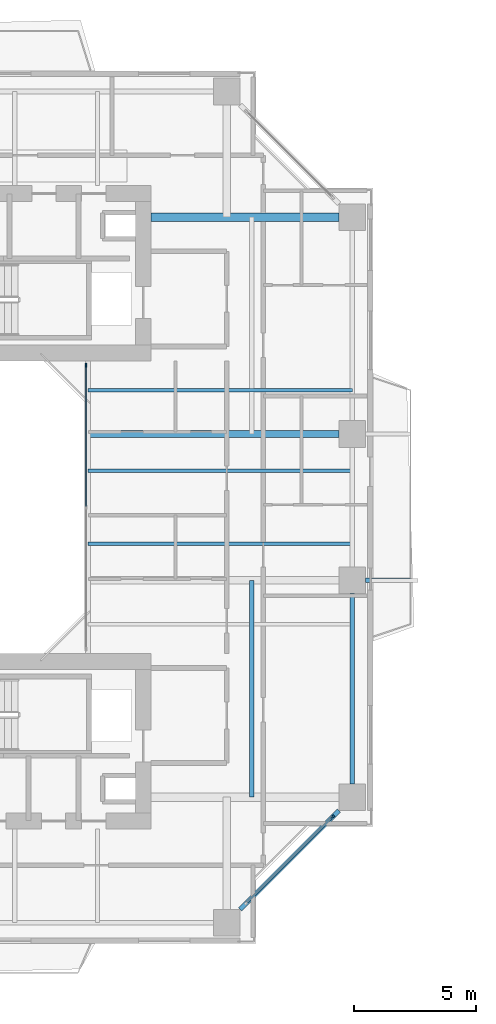
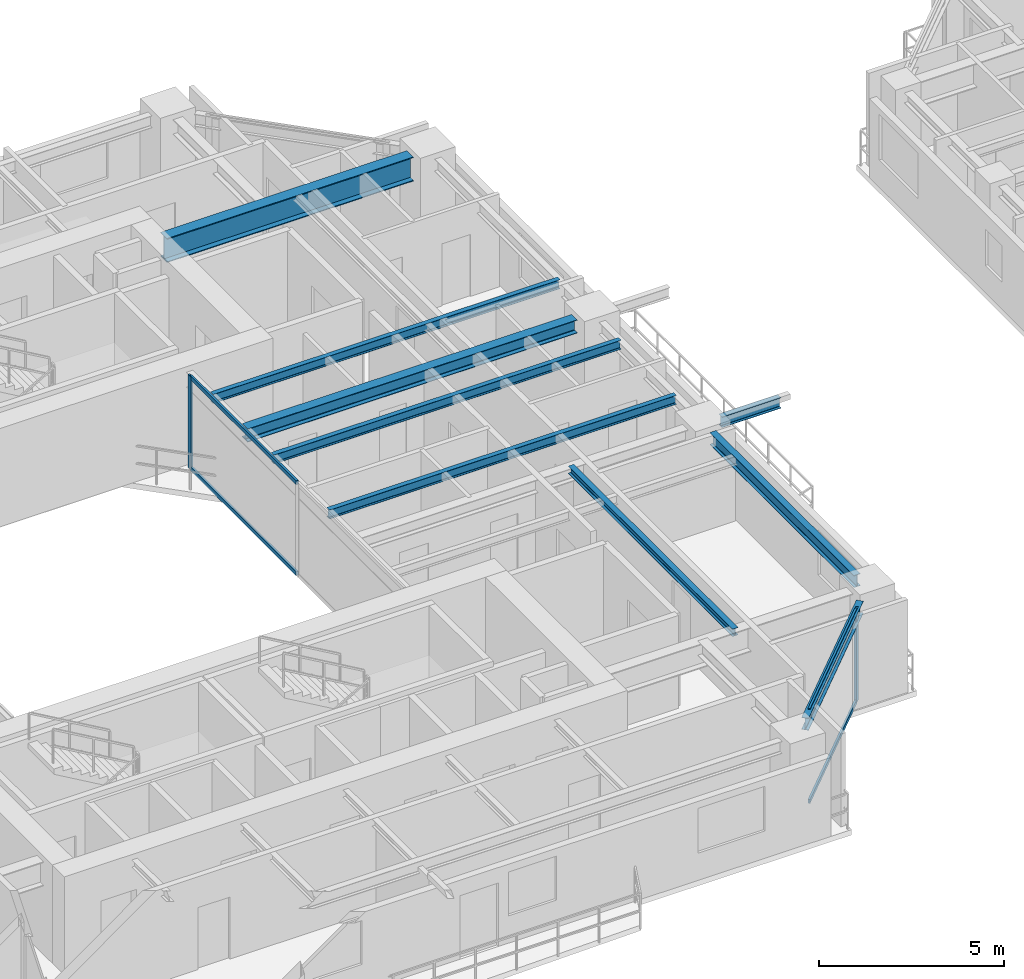
# One storey, part 6 of 23: 9 beams, 6 members, 2 elements without a shape of their own.
"""IFC4 building model written with IfcOpenShell, lengths in metres."""

from ifc_helpers import new_model, si_unit, direction, frame, origin, origin_2d, place, context, subcontext, project, spatial, rectangle, i_section, extrude, source, transform, mapped, material, layer, layer_set, material_profile, profile_set, type_object, element, aggregate, save


model = new_model("IFC4")

# Units and contexts
model_context = context("Model", 3, precision=1e-05, world=origin(), true_north=direction((0.0, 1.0)))
body_context = subcontext(model_context, "Body", "Model", "MODEL_VIEW")
ifc_project = project(units=[si_unit("LENGTHUNIT", "METRE"), si_unit("AREAUNIT", "SQUARE_METRE"), si_unit("VOLUMEUNIT", "CUBIC_METRE"), si_unit("PLANEANGLEUNIT", "RADIAN"), si_unit("MASSUNIT", "GRAM", prefix="KILO"), si_unit("THERMODYNAMICTEMPERATUREUNIT", "KELVIN"), si_unit("POWERUNIT", "WATT")], contexts=[model_context])

# Site, building, storey
site_placement = place(None, origin())
site = spatial("IfcSite", under=ifc_project, at=site_placement, CompositionType="ELEMENT")
building_placement = place(site_placement, origin())
building = spatial("IfcBuilding", under=site, at=building_placement, Name="Qiaomeng Ring Towers", CompositionType="ELEMENT")
storey_placement = place(building_placement, frame((0.0, 0.0, 100.25)))
storey = spatial("IfcBuildingStorey", under=building, at=storey_placement, Name="L28", CompositionType="ELEMENT", Elevation=100.25)

# Beams
ifc_material_1 = material(Name="Steel Q355B", Category="steel")
ifc_material_profile_1 = material_profile(ifc_material_1, i_section(OverallWidth=0.199951171875, OverallDepth=0.39990234375, WebThickness=0.008056640625, FlangeThickness=0.012939453125, FilletRadius=0.01611328125, at=origin_2d()), Name="HN 400x200x8x13")
ifc_profile_set_1 = profile_set([ifc_material_profile_1], Name="Steel Q355B")
beam_type_1 = type_object("IfcBeamType", Name="STR-BM-HN400", PredefinedType="SPANDREL", material=ifc_profile_set_1)
shared_shape_1 = source(origin(), body_context, "Body", "SweptSolid", [
    extrude(i_section(OverallWidth=0.199951171875, OverallDepth=0.39990234375, WebThickness=0.008056640625, FlangeThickness=0.012939453125, FilletRadius=0.01611328125, at=origin_2d()), origin(), (0.0, 0.0, 1.0), 5.729736328125),
])
beam_1_placement = place(storey_placement, frame((31.44921875, 6.499267578125, 2.8701171875), z_axis=(0.707106781187, 0.707106781187, 0.0), x_axis=(-0.707106781187, 0.707106781187, 0.0)))
element("IfcBeam", 1, at=beam_1_placement, inside=storey, type_object=beam_type_1, Name="L28 beam STR-SP-L28-T1-S2-E1", PredefinedType="SPANDREL", context=body_context, shape_type="MappedRepresentation", body=[
    mapped(shared_shape_1, transform((0.0, 0.0, 0.0), x_axis=(1.0, 0.0, 0.0), y_axis=(0.0, 1.0, 0.0), z_axis=(0.0, 0.0, 1.0), scale=1.0)),
])
shared_shape_2 = source(origin(), body_context, "Body", "SweptSolid", [
    extrude(i_section(OverallWidth=0.199951171875, OverallDepth=0.39990234375, WebThickness=0.008056640625, FlangeThickness=0.012939453125, FilletRadius=0.01611328125, at=origin_2d()), origin(), (0.0, 0.0, 1.0), 7.802001953125),
])
beam_2_placement = place(storey_placement, frame((36.050048828125, 11.64892578125, 2.8701171875), z_axis=(0.0, 1.0, 0.0), x_axis=(-1.0, 0.0, 0.0)))
element("IfcBeam", 2, at=beam_2_placement, inside=storey, type_object=beam_type_1, Name="L28 beam STR-SP-L28-T1-E1-E2", PredefinedType="SPANDREL", context=body_context, shape_type="MappedRepresentation", body=[
    mapped(shared_shape_2, transform((0.0, 0.0, 0.0), x_axis=(1.0, 0.0, 0.0), y_axis=(0.0, 1.0, 0.0), z_axis=(0.0, 0.0, 1.0), scale=1.0)),
])
ifc_material_2 = material(Name="Steel Q390GJC", Category="steel")
ifc_material_profile_2 = material_profile(ifc_material_2, i_section(OverallWidth=0.35009765625, OverallDepth=0.800048828125, WebThickness=0.01611328125, FlangeThickness=0.028076171875, at=origin_2d()), Name="WH 800x350x16x28")
ifc_profile_set_2 = profile_set([ifc_material_profile_2], Name="Steel Q390GJC")
beam_type_2 = type_object("IfcBeamType", Name="STR-BM-WH800", PredefinedType="BEAM", material=ifc_profile_set_2)
shared_shape_3 = source(origin(), body_context, "Body", "SweptSolid", [
    extrude(i_section(OverallWidth=0.35009765625, OverallDepth=0.800048828125, WebThickness=0.01611328125, FlangeThickness=0.028076171875, at=origin_2d()), origin(), (0.0, 0.0, 1.0), 7.700927734375),
])
beam_3_placement = place(storey_placement, frame((27.800048828125, 34.89990234375, 2.669921875), z_axis=(1.0, 0.0, 0.0), x_axis=(0.0, 1.0, 0.0)))
element("IfcBeam", 3, at=beam_3_placement, inside=storey, type_object=beam_type_2, Name="L28 beam STR-BM-L28-T1-RAD-E4", PredefinedType="BEAM", context=body_context, shape_type="MappedRepresentation", body=[
    mapped(shared_shape_3, transform((0.0, 0.0, 0.0), x_axis=(1.0, 0.0, 0.0), y_axis=(0.0, 1.0, 0.0), z_axis=(0.0, 0.0, 1.0), scale=1.0)),
])
ifc_material_profile_3 = material_profile(ifc_material_1, i_section(OverallWidth=0.300048828125, OverallDepth=0.43994140625, WebThickness=0.010986328125, FlangeThickness=0.01806640625, FilletRadius=0.02392578125, at=origin_2d()), Name="HM 440x300x11x18")
ifc_profile_set_3 = profile_set([ifc_material_profile_3], Name="Steel Q355B")
beam_type_3 = type_object("IfcBeamType", Name="STR-BM-HM440", PredefinedType="BEAM", material=ifc_profile_set_3)
shared_shape_4 = source(origin(), body_context, "Body", "SweptSolid", [
    extrude(i_section(OverallWidth=0.300048828125, OverallDepth=0.43994140625, WebThickness=0.010986328125, FlangeThickness=0.01806640625, FilletRadius=0.02392578125, at=origin_2d()), origin(), (0.0, 0.0, 1.0), 10.301025390625),
])
beam_4_placement = place(storey_placement, frame((25.199951171875, 26.0, 2.85009765625), z_axis=(1.0, 0.0, 0.0), x_axis=(0.0, 1.0, 0.0)))
element("IfcBeam", 4, at=beam_4_placement, inside=storey, type_object=beam_type_3, Name="L28 beam STR-BM-L28-T1-RAD-E3", PredefinedType="BEAM", context=body_context, shape_type="MappedRepresentation", body=[
    mapped(shared_shape_4, transform((0.0, 0.0, 0.0), x_axis=(1.0, 0.0, 0.0), y_axis=(0.0, 1.0, 0.0), z_axis=(0.0, 0.0, 1.0), scale=1.0)),
])
ifc_material_profile_4 = material_profile(ifc_material_1, i_section(OverallWidth=0.175048828125, OverallDepth=0.35009765625, WebThickness=0.007080078125, FlangeThickness=0.010986328125, FilletRadius=0.013916015625, at=origin_2d()), Name="HN 350x175x7x11")
ifc_profile_set_4 = profile_set([ifc_material_profile_4], Name="Steel Q355B")
beam_type_4 = type_object("IfcBeamType", Name="STR-BM-HN350", PredefinedType="JOIST", material=ifc_profile_set_4)
shared_shape_5 = source(origin(), body_context, "Body", "SweptSolid", [
    extrude(i_section(OverallWidth=0.175048828125, OverallDepth=0.35009765625, WebThickness=0.007080078125, FlangeThickness=0.010986328125, FilletRadius=0.013916015625, at=origin_2d()), origin(), (0.0, 0.0, 1.0), 1.8408203125),
])
beam_5_placement = place(storey_placement, frame((36.59912109375, 20.0, 2.89501953125), z_axis=(1.0, 0.0, 0.0), x_axis=(0.0, 1.0, 0.0)))
element("IfcBeam", 5, at=beam_5_placement, inside=storey, type_object=beam_type_4, Name="L28 beam STR-BALBM-L28-E2", PredefinedType="JOIST", context=body_context, shape_type="MappedRepresentation", body=[
    mapped(shared_shape_5, transform((0.0, 0.0, 0.0), x_axis=(1.0, 0.0, 0.0), y_axis=(0.0, 1.0, 0.0), z_axis=(0.0, 0.0, 1.0), scale=1.0)),
])
ifc_material_profile_5 = material_profile(ifc_material_1, i_section(OverallWidth=0.14990234375, OverallDepth=0.300048828125, WebThickness=0.006591796875, FlangeThickness=0.009033203125, FilletRadius=0.012939453125, at=origin_2d()), Name="HN 300x150x6.5x9")
ifc_profile_set_5 = profile_set([ifc_material_profile_5], Name="Steel Q355B")
beam_type_5 = type_object("IfcBeamType", Name="STR-BM-HN300", PredefinedType="JOIST", material=ifc_profile_set_5)
shared_shape_6 = source(origin(), body_context, "Body", "SweptSolid", [
    extrude(i_section(OverallWidth=0.14990234375, OverallDepth=0.300048828125, WebThickness=0.006591796875, FlangeThickness=0.009033203125, FilletRadius=0.012939453125, at=origin_2d()), origin(), (0.0, 0.0, 1.0), 10.85009765625),
])
for number, where, z_axis, x_axis, name in (
    (6, (25.199951171875, 21.5, 2.919921875), (1.0, 0.0, 0.0), (0.0, 1.0, 0.0), "L28 beam STR-JST-L28-T1E-2"),
    (7, (25.199951171875, 24.5, 2.919921875), (1.0, 0.0, 0.0), (0.0, 1.0, 0.0), "L28 beam STR-JST-L28-T1E-3"),
    (8, (25.199951171875, 27.800048828125, 2.919921875), (1.0, 0.0, 0.0), (0.0, 1.0, 0.0), "L28 beam STR-JST-L28-T1E-4"),
):
    element("IfcBeam", number, at=place(storey_placement, frame(where, z_axis=z_axis, x_axis=x_axis)), inside=storey, type_object=beam_type_5, Name=name, PredefinedType="JOIST", context=body_context, shape_type="MappedRepresentation", body=[
        mapped(shared_shape_6, transform((0.0, 0.0, 0.0), x_axis=(1.0, 0.0, 0.0), y_axis=(0.0, 1.0, 0.0), z_axis=(0.0, 0.0, 1.0), scale=1.0)),
    ])
ifc_material_profile_6 = material_profile(ifc_material_1, i_section(OverallWidth=0.175048828125, OverallDepth=0.243896484375, WebThickness=0.007080078125, FlangeThickness=0.010986328125, FilletRadius=0.01611328125, at=origin_2d()), Name="HM 244x175x7x11")
ifc_profile_set_6 = profile_set([ifc_material_profile_6], Name="Steel Q355B")
beam_type_6 = type_object("IfcBeamType", Name="STR-BM-HM244", PredefinedType="JOIST", material=ifc_profile_set_6)
shared_shape_7 = source(origin(), body_context, "Body", "SweptSolid", [
    extrude(i_section(OverallWidth=0.175048828125, OverallDepth=0.243896484375, WebThickness=0.007080078125, FlangeThickness=0.010986328125, FilletRadius=0.01611328125, at=origin_2d()), origin(), (0.0, 0.0, 1.0), 8.89990234375),
])
beam_6_placement = place(storey_placement, frame((31.925048828125, 11.10009765625, 2.947998046875), z_axis=(0.0, 1.0, 0.0), x_axis=(-1.0, 0.0, 0.0)))
element("IfcBeam", 9, at=beam_6_placement, inside=storey, type_object=beam_type_6, Name="L28 beam STR-JST-L28-T1C-ES", PredefinedType="JOIST", context=body_context, shape_type="MappedRepresentation", body=[
    mapped(shared_shape_7, transform((0.0, 0.0, 0.0), x_axis=(1.0, 0.0, 0.0), y_axis=(0.0, 1.0, 0.0), z_axis=(0.0, 0.0, 1.0), scale=1.0)),
])

# Curtain wall, members
ifc_material_3 = material(Name="Fluorocarbon dark-grey aluminium", Category="aluminium")
ifc_layer_1 = layer(ifc_material_3, 0.139892578125, Name="Fluorocarbon dark-grey aluminium")
ifc_layer_set_1 = layer_set([ifc_layer_1], Name="Fluorocarbon dark-grey aluminium")
curtain_wall_type_1 = type_object("IfcCurtainWallType", Name="ARC-CW-4", PredefinedType="NOTDEFINED", material=ifc_layer_set_1)
curtain_wall_1_placement = place(storey_placement, origin())
curtain_wall_1 = element("IfcCurtainWall", 10, at=curtain_wall_1_placement, inside=storey, type_object=curtain_wall_type_1, Name="L28 Curtain Wall CW4", PredefinedType="NOTDEFINED")
ifc_material_profile_7 = material_profile(ifc_material_3, rectangle(XDim=0.06494140625, YDim=0.159912109375, at=origin_2d()), Name="ALU MULL 65x160")
ifc_profile_set_7 = profile_set([ifc_material_profile_7], Name="Fluorocarbon dark-grey aluminium")
member_type_1 = type_object("IfcMemberType", Name="ARC-CWM-140", PredefinedType="MULLION", material=ifc_profile_set_7)
shared_shape_8 = source(origin(), body_context, "Body", "SweptSolid", [
    extrude(rectangle(XDim=0.06494140625, YDim=0.159912109375, at=origin_2d()), origin(), (0.0, 0.0, 1.0), 3.070068359375),
])
member_1_placement = place(storey_placement, frame((25.1201171875, 28.8173828125, 0.0), z_axis=(0.0, 0.0, 1.0), x_axis=(-1.0, 0.0, 0.0)))
member_1 = element("IfcMember", 11, at=member_1_placement, type_object=member_type_1, Name="CW4 mullion 3", PredefinedType="MULLION", context=body_context, shape_type="MappedRepresentation", body=[
    mapped(shared_shape_8, transform((0.0, 0.0, 0.0), x_axis=(1.0, 0.0, 0.0), y_axis=(0.0, 1.0, 0.0), z_axis=(0.0, 0.0, 1.0), scale=1.0)),
])
ifc_material_profile_8 = material_profile(ifc_material_3, rectangle(XDim=0.06494140625, YDim=0.1298828125, at=origin_2d()), Name="ALU TRAN 65x130")
ifc_profile_set_8 = profile_set([ifc_material_profile_8], Name="Fluorocarbon dark-grey aluminium")
member_type_2 = type_object("IfcMemberType", Name="ARC-CWT-120", PredefinedType="USERDEFINED", material=ifc_profile_set_8)
shared_shape_9 = source(origin(), body_context, "Body", "SweptSolid", [
    extrude(rectangle(XDim=0.06494140625, YDim=0.1298828125, at=origin_2d()), origin(), (0.0, 0.0, 1.0), 5.75244140625),
])
member_2_placement = place(storey_placement, frame((25.1201171875, 23.032470703125, 0.032470703125), z_axis=(0.0, 1.0, 0.0), x_axis=(-1.0, 0.0, 0.0)))
member_2 = element("IfcMember", 12, at=member_2_placement, type_object=member_type_2, Name="CW4 transom 2.1", ObjectType="TRANSOM", PredefinedType="USERDEFINED", context=body_context, shape_type="MappedRepresentation", body=[
    mapped(shared_shape_9, transform((0.0, 0.0, 0.0), x_axis=(1.0, 0.0, 0.0), y_axis=(0.0, 1.0, 0.0), z_axis=(0.0, 0.0, 1.0), scale=1.0)),
])
member_3_placement = place(storey_placement, frame((25.1201171875, 23.032470703125, 3.03759765625), z_axis=(0.0, 1.0, 0.0), x_axis=(-1.0, 0.0, 0.0)))
member_3 = element("IfcMember", 13, at=member_3_placement, type_object=member_type_2, Name="CW4 transom 2.2", ObjectType="TRANSOM", PredefinedType="USERDEFINED", context=body_context, shape_type="MappedRepresentation", body=[
    mapped(shared_shape_9, transform((0.0, 0.0, 0.0), x_axis=(1.0, 0.0, 0.0), y_axis=(0.0, 1.0, 0.0), z_axis=(0.0, 0.0, 1.0), scale=1.0)),
])
aggregate(curtain_wall_1, [member_1, member_2, member_3])

ifc_layer_2 = layer(ifc_material_3, 0.14990234375, Name="Fluorocarbon dark-grey aluminium")
ifc_layer_set_2 = layer_set([ifc_layer_2], Name="Fluorocarbon dark-grey aluminium")
curtain_wall_type_2 = type_object("IfcCurtainWallType", Name="ARC-CW-3", PredefinedType="NOTDEFINED", material=ifc_layer_set_2)
curtain_wall_2_placement = place(storey_placement, origin())
curtain_wall_2 = element("IfcCurtainWall", 14, at=curtain_wall_2_placement, inside=storey, type_object=curtain_wall_type_2, Name="L28 Curtain Wall CW3", PredefinedType="NOTDEFINED")
ifc_material_profile_9 = material_profile(ifc_material_3, rectangle(XDim=0.070068359375, YDim=0.179931640625, at=origin_2d()), Name="ALU MULL 70x180")
ifc_profile_set_9 = profile_set([ifc_material_profile_9], Name="Fluorocarbon dark-grey aluminium")
member_type_3 = type_object("IfcMemberType", Name="ARC-CWM-160", PredefinedType="MULLION", material=ifc_profile_set_9)
shared_shape_10 = source(origin(), body_context, "Body", "SweptSolid", [
    extrude(rectangle(XDim=0.070068359375, YDim=0.179931640625, at=origin_2d()), origin(), (0.0, 0.0, 1.0), 3.070068359375),
])
member_4_placement = place(storey_placement, frame((35.2353515625, 10.28515625, 0.0), z_axis=(0.0, 0.0, 1.0), x_axis=(-0.707106781187, 0.707106781187, 0.0)))
member_4 = element("IfcMember", 15, at=member_4_placement, type_object=member_type_3, Name="CW3 mullion 2", PredefinedType="MULLION", context=body_context, shape_type="MappedRepresentation", body=[
    mapped(shared_shape_10, transform((0.0, 0.0, 0.0), x_axis=(1.0, 0.0, 0.0), y_axis=(0.0, 1.0, 0.0), z_axis=(0.0, 0.0, 1.0), scale=1.0)),
])
shared_shape_11 = source(origin(), body_context, "Body", "SweptSolid", [
    extrude(rectangle(XDim=0.06494140625, YDim=0.1298828125, at=origin_2d()), origin(), (0.0, 0.0, 1.0), 4.90869140625),
])
member_5_placement = place(storey_placement, frame((31.739501953125, 6.78955078125, 0.032470703125), z_axis=(0.707106781187, 0.707106781187, 0.0), x_axis=(-0.707106781187, 0.707106781187, 0.0)))
member_5 = element("IfcMember", 16, at=member_5_placement, type_object=member_type_2, Name="CW3 transom 1.1", ObjectType="TRANSOM", PredefinedType="USERDEFINED", context=body_context, shape_type="MappedRepresentation", body=[
    mapped(shared_shape_11, transform((0.0, 0.0, 0.0), x_axis=(1.0, 0.0, 0.0), y_axis=(0.0, 1.0, 0.0), z_axis=(0.0, 0.0, 1.0), scale=1.0)),
])
member_6_placement = place(storey_placement, frame((31.739501953125, 6.78955078125, 3.03759765625), z_axis=(0.707106781187, 0.707106781187, 0.0), x_axis=(-0.707106781187, 0.707106781187, 0.0)))
member_6 = element("IfcMember", 17, at=member_6_placement, type_object=member_type_2, Name="CW3 transom 1.2", ObjectType="TRANSOM", PredefinedType="USERDEFINED", context=body_context, shape_type="MappedRepresentation", body=[
    mapped(shared_shape_11, transform((0.0, 0.0, 0.0), x_axis=(1.0, 0.0, 0.0), y_axis=(0.0, 1.0, 0.0), z_axis=(0.0, 0.0, 1.0), scale=1.0)),
])
aggregate(curtain_wall_2, [member_4, member_5, member_6])

save(model, "model.ifc")
